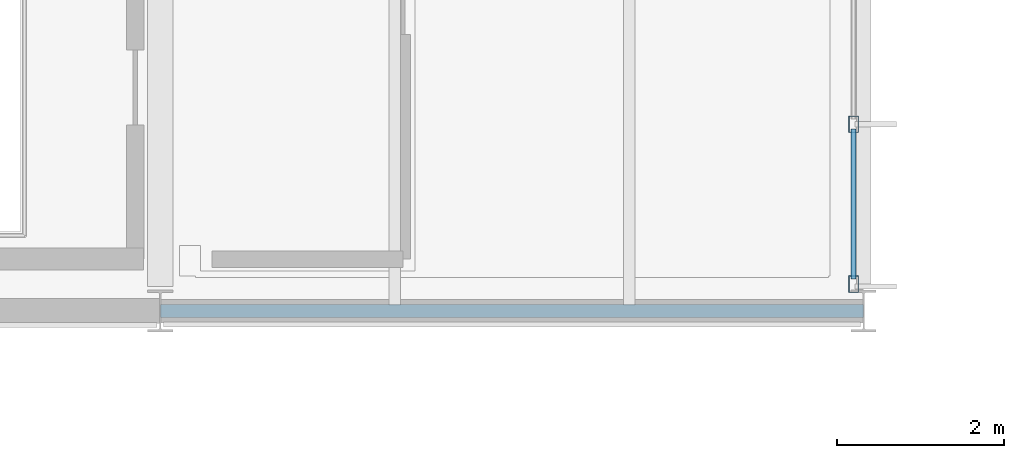
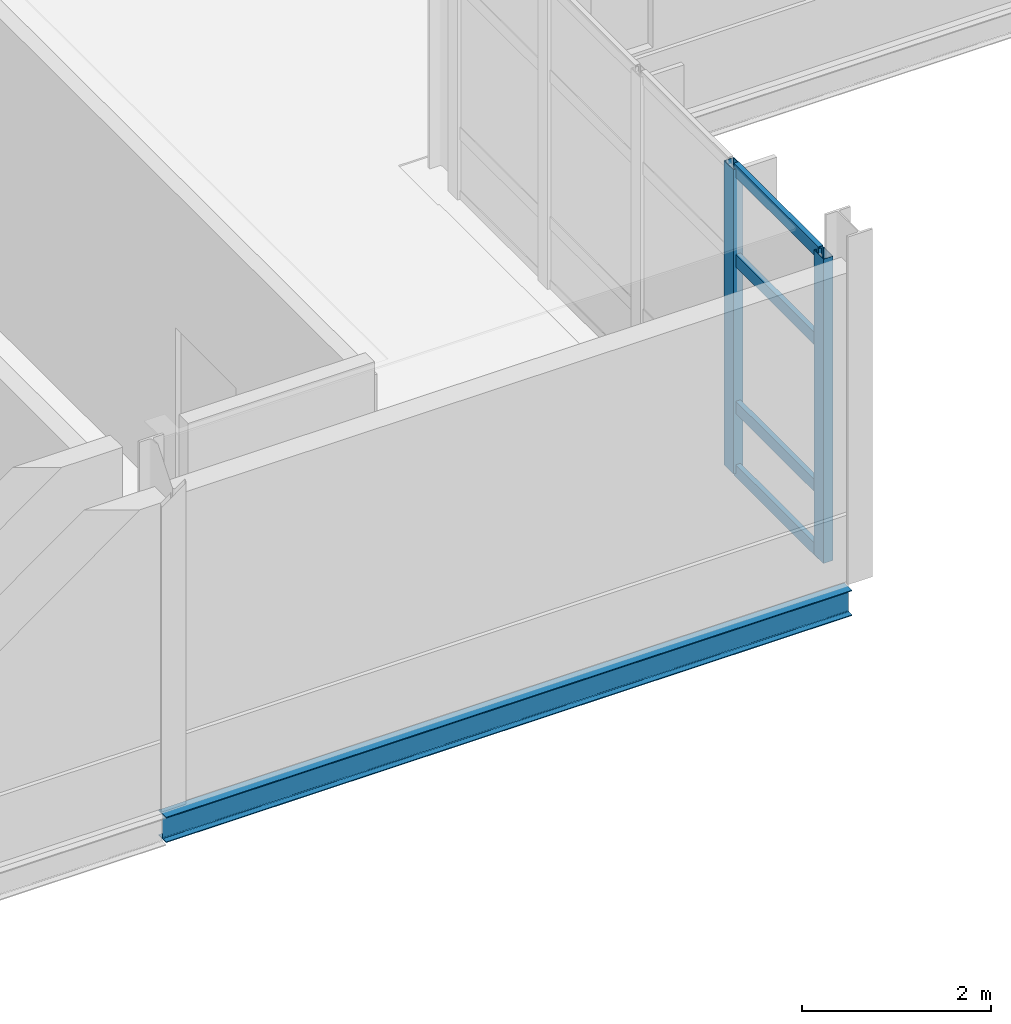
# One storey, part 41 of 129: 6 members, 1 beam, 1 element without a shape of its own.
"""IFC4 building model written with IfcOpenShell, lengths in metres."""

from ifc_helpers import new_model, si_unit, direction, frame, origin, origin_2d, place, context, subcontext, project, spatial, hollow_rectangle, i_section, extrude, material, material_profile, profile_set, type_object, element, aggregate, save


model = new_model("IFC4")

# Units and contexts
model_context = context("Model", 3, precision=1e-05, world=origin(), true_north=direction((0.0, 1.0)))
body_context = subcontext(model_context, "Body", "Model", "MODEL_VIEW")
ifc_project = project(units=[si_unit("LENGTHUNIT", "METRE"), si_unit("AREAUNIT", "SQUARE_METRE"), si_unit("VOLUMEUNIT", "CUBIC_METRE"), si_unit("PLANEANGLEUNIT", "RADIAN"), si_unit("MASSUNIT", "GRAM", prefix="KILO")], contexts=[model_context])

# Site, building, storey
site_placement = place(None, origin())
site = spatial("IfcSite", under=ifc_project, at=site_placement, CompositionType="ELEMENT")
building_placement = place(site_placement, origin())
building = spatial("IfcBuilding", under=site, at=building_placement, Name="Mersafa Astral City Hall", CompositionType="ELEMENT")
storey_placement = place(building_placement, frame((0.0, 0.0, 5.39990234375)))
storey = spatial("IfcBuildingStorey", under=building, at=storey_placement, Name="L01", CompositionType="ELEMENT", Elevation=5.39990234375)

# Curtain wall, members
ifc_material_1 = material(Name="Anodised bronze aluminium framing", Category="aluminium")
curtain_wall_type = type_object("IfcCurtainWallType", Name="ENV-CW-3", PredefinedType="USERDEFINED", material=ifc_material_1)
curtain_wall_placement = place(storey_placement, origin())
curtain_wall = element("IfcCurtainWall", 1, at=curtain_wall_placement, inside=storey, type_object=curtain_wall_type, Name="L01 Unitised solar curtain wall 86", ObjectType="UNITISED CURTAIN WALL", PredefinedType="USERDEFINED")
ifc_material_profile_1 = material_profile(ifc_material_1, hollow_rectangle(XDim=0.1201171875, YDim=0.199951171875, WallThickness=0.008056640625, at=origin_2d()), Name="RHS 120x200x8")
ifc_profile_set_1 = profile_set([ifc_material_profile_1], Name="Anodised bronze aluminium framing")
member_type_1 = type_object("IfcMemberType", Name="ENV-CW-MUL-2", PredefinedType="MULLION", material=ifc_profile_set_1)
member_1_placement = place(storey_placement, frame((58.679931640625, 109.52197265625, -0.001953125), z_axis=(0.0, 0.0, 1.0), x_axis=(-1.0, 0.0, 0.0)))
member_1 = element("IfcMember", 2, at=member_1_placement, type_object=member_type_1, Name="CW-3 mullion 1", PredefinedType="MULLION", context=body_context, shape_type="SweptSolid", body=[
    extrude(hollow_rectangle(XDim=0.1201171875, YDim=0.199951171875, WallThickness=0.008056640625, at=origin_2d()), origin(), (0.0, 0.0, 1.0), 3.93896484375),
])
member_2_placement = place(storey_placement, frame((58.679931640625, 111.430908203125, -0.001953125), z_axis=(0.0, 0.0, 1.0), x_axis=(-1.0, 0.0, 0.0)))
member_2 = element("IfcMember", 3, at=member_2_placement, type_object=member_type_1, Name="CW-3 mullion 2", PredefinedType="MULLION", context=body_context, shape_type="SweptSolid", body=[
    extrude(hollow_rectangle(XDim=0.1201171875, YDim=0.199951171875, WallThickness=0.008056640625, at=origin_2d()), origin(), (0.0, 0.0, 1.0), 3.93896484375),
])
ifc_material_profile_2 = material_profile(ifc_material_1, hollow_rectangle(XDim=0.06005859375, YDim=0.159912109375, WallThickness=0.00390625, at=origin_2d()), Name="RHS 60x160x4")
ifc_profile_set_2 = profile_set([ifc_material_profile_2], Name="Anodised bronze aluminium framing")
member_type_2 = type_object("IfcMemberType", Name="ENV-CW-TRN-2", PredefinedType="USERDEFINED", material=ifc_profile_set_2)
member_3_placement = place(storey_placement, frame((58.679931640625, 109.58203125, 0.028076171875), z_axis=(0.0, 1.0, 0.0), x_axis=(-1.0, 0.0, 0.0)))
member_3 = element("IfcMember", 4, at=member_3_placement, type_object=member_type_2, Name="CW-3 transom 1.1", ObjectType="TRANSOM", PredefinedType="USERDEFINED", context=body_context, shape_type="SweptSolid", body=[
    extrude(hollow_rectangle(XDim=0.06005859375, YDim=0.159912109375, WallThickness=0.00390625, at=origin_2d()), origin(), (0.0, 0.0, 1.0), 1.7890625),
])
member_4_placement = place(storey_placement, frame((58.679931640625, 109.58203125, 0.85009765625), z_axis=(0.0, 1.0, 0.0), x_axis=(-1.0, 0.0, 0.0)))
member_4 = element("IfcMember", 5, at=member_4_placement, type_object=member_type_2, Name="CW-3 transom 1.2", ObjectType="TRANSOM", PredefinedType="USERDEFINED", context=body_context, shape_type="SweptSolid", body=[
    extrude(hollow_rectangle(XDim=0.06005859375, YDim=0.159912109375, WallThickness=0.00390625, at=origin_2d()), origin(), (0.0, 0.0, 1.0), 1.7890625),
])
member_5_placement = place(storey_placement, frame((58.679931640625, 109.58203125, 2.75), z_axis=(0.0, 1.0, 0.0), x_axis=(-1.0, 0.0, 0.0)))
member_5 = element("IfcMember", 6, at=member_5_placement, type_object=member_type_2, Name="CW-3 transom 1.3", ObjectType="TRANSOM", PredefinedType="USERDEFINED", context=body_context, shape_type="SweptSolid", body=[
    extrude(hollow_rectangle(XDim=0.06005859375, YDim=0.159912109375, WallThickness=0.00390625, at=origin_2d()), origin(), (0.0, 0.0, 1.0), 1.7890625),
])
member_6_placement = place(storey_placement, frame((58.679931640625, 109.58203125, 3.906982421875), z_axis=(0.0, 1.0, 0.0), x_axis=(-1.0, 0.0, 0.0)))
member_6 = element("IfcMember", 7, at=member_6_placement, type_object=member_type_2, Name="CW-3 transom 1.4", ObjectType="TRANSOM", PredefinedType="USERDEFINED", context=body_context, shape_type="SweptSolid", body=[
    extrude(hollow_rectangle(XDim=0.06005859375, YDim=0.159912109375, WallThickness=0.00390625, at=origin_2d()), origin(), (0.0, 0.0, 1.0), 1.7890625),
])
aggregate(curtain_wall, [member_1, member_2, member_3, member_4, member_5, member_6])

# Beam
ifc_material_2 = material(Name="Steel S355", Category="steel")
ifc_material_profile_3 = material_profile(ifc_material_2, i_section(OverallWidth=0.159912109375, OverallDepth=0.330078125, WebThickness=0.007568359375, FlangeThickness=0.011474609375, FilletRadius=0.01806640625, at=origin_2d()), Name="IPE 330")
ifc_profile_set_3 = profile_set([ifc_material_profile_3], Name="Steel S355")
beam_type = type_object("IfcBeamType", Name="STR-BM-SPANDREL-IPE330", PredefinedType="SPANDREL", material=ifc_profile_set_3)
beam_placement = place(storey_placement, frame((50.403076171875, 109.199951171875, -0.389892578125), z_axis=(1.0, 0.0, 0.0), x_axis=(0.0, 1.0, 0.0)))
element("IfcBeam", 8, at=beam_placement, inside=storey, type_object=beam_type, Name="L01 Primary girder X 6-13", PredefinedType="SPANDREL", context=body_context, shape_type="SweptSolid", body=[
    extrude(i_section(OverallWidth=0.159912109375, OverallDepth=0.330078125, WebThickness=0.007568359375, FlangeThickness=0.011474609375, FilletRadius=0.01806640625, at=origin_2d()), origin(), (0.0, 0.0, 1.0), 8.39404296875),
])

save(model, "model.ifc")
